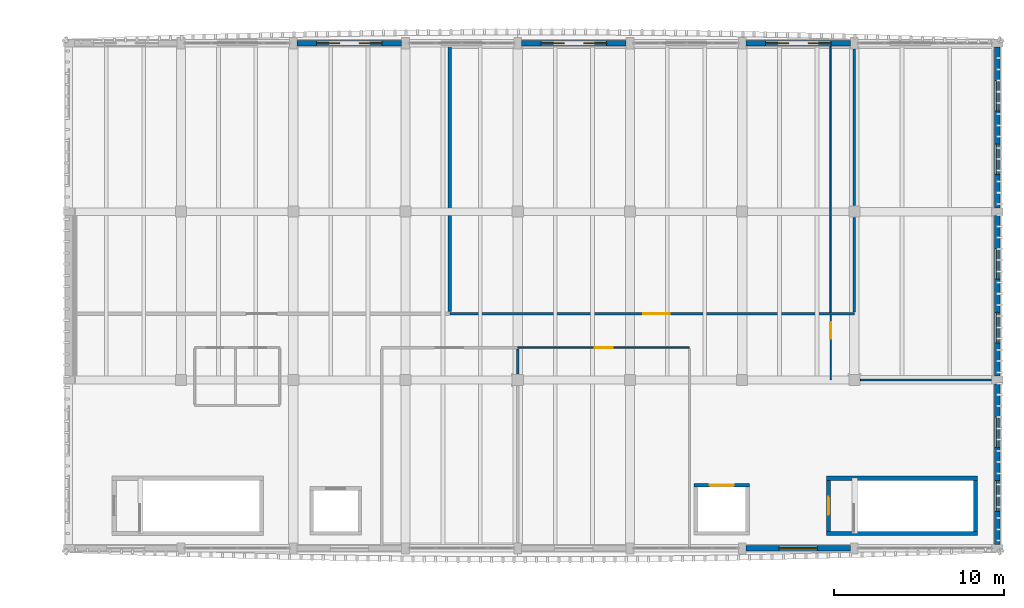
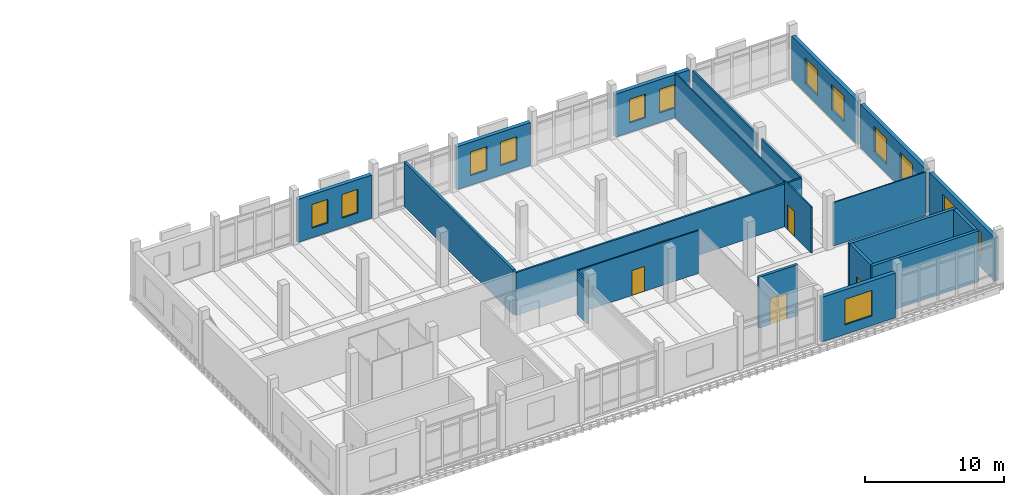
# One storey, part 24 of 37: 21 walls, 13 windows, 5 doors, 18 openings.
"""IFC4 building model written with IfcOpenShell, lengths in metres."""

from ifc_helpers import new_model, si_unit, direction, frame, frame_2d, origin, place, context, subcontext, project, spatial, rectangle, extrude, material, layer, layer_set, type_object, element, fill, save


model = new_model("IFC4")

# Units and contexts
model_context = context("Model", 3, precision=1e-05, world=origin(), true_north=direction((0.0, 1.0)))
body_context = subcontext(model_context, "Body", "Model", "MODEL_VIEW")
ifc_project = project(units=[si_unit("LENGTHUNIT", "METRE"), si_unit("AREAUNIT", "SQUARE_METRE"), si_unit("VOLUMEUNIT", "CUBIC_METRE"), si_unit("PLANEANGLEUNIT", "RADIAN"), si_unit("MASSUNIT", "GRAM", prefix="KILO")], contexts=[model_context])

# Site, building, storey
site_placement = place(None, origin())
site = spatial("IfcSite", under=ifc_project, at=site_placement, CompositionType="ELEMENT")
building_placement = place(site_placement, origin())
building = spatial("IfcBuilding", under=site, at=building_placement, Name="Dornvale Research Institute", CompositionType="ELEMENT")
storey_placement = place(building_placement, frame((0.0, 0.0, 29.39990234375)))
storey = spatial("IfcBuildingStorey", under=building, at=storey_placement, Name="L06", CompositionType="ELEMENT", Elevation=29.39990234375)

# Wall
ifc_material_1 = material(Name="Fire-Rated Gypsum Board on Cold-Formed Steel Studs", Category="steel")
ifc_layer_1 = layer(ifc_material_1, 0.199951171875)
ifc_layer_set_1 = layer_set([ifc_layer_1], Name="Fire-Rated Gypsum Board on Cold-Formed Steel Studs")
wall_type_1 = type_object("IfcWallType", Name="Partition_FireWall_200", PredefinedType="PARTITIONING", material=ifc_layer_set_1)
wall_1_placement = place(storey_placement, frame((141.199951171875, 106.31494140625, 0.0), z_axis=(0.0, 0.0, 1.0), x_axis=(0.0, 1.0, 0.0)))
element("IfcWall", 1, at=wall_1_placement, inside=storey, type_object=wall_type_1, Name="L06 V4 interior partition #526", PredefinedType="PARTITIONING", context=body_context, shape_type="SweptSolid", body=[
    extrude(rectangle(XDim=15.7451171875, YDim=0.199951171875, at=frame_2d((7.87255859375, 0.0))), origin(), (0.0, 0.0, 1.0), 3.93017578125),
])

# Wall, opening, door
ifc_material_2 = material(Name="Acoustic Insulated Double-Stud Laboratory Partition")
ifc_layer_2 = layer(ifc_material_2, 0.14990234375)
ifc_layer_set_2 = layer_set([ifc_layer_2], Name="Acoustic Insulated Double-Stud Laboratory Partition")
wall_type_2 = type_object("IfcWallType", Name="Partition_Lab_150", PredefinedType="PARTITIONING", material=ifc_layer_set_2)
wall_2_placement = place(storey_placement, frame((141.215087890625, 106.199951171875, 0.0), z_axis=(0.0, 0.0, 1.0), x_axis=(1.0, 0.0, 0.0)))
wall_2 = element("IfcWall", 2, at=wall_2_placement, inside=storey, type_object=wall_type_2, Name="L06 V4 interior partition #527", PredefinedType="PARTITIONING", context=body_context, shape_type="SweptSolid", body=[
    extrude(rectangle(XDim=23.784912109375, YDim=0.14990234375, at=frame_2d((11.892578125, 0.0))), origin(), (0.0, 0.0, 1.0), 3.780029296875),
])
opening_1_placement = place(wall_2_placement, frame((11.35498046875, 0.0, 0.0)))
opening_1 = element("IfcOpeningElement", 3, at=opening_1_placement, cuts=wall_2, Name="Opening ID-05", PredefinedType="OPENING", context=body_context, shape_type="SweptSolid", body=[
    extrude(rectangle(XDim=1.56005859375, YDim=2.300048828125, at=frame_2d((0.780029296875, 1.14990234375))), frame((0.0, 0.08984375, 0.0), z_axis=(0.0, -1.0, 0.0), x_axis=(1.0, 0.0, 0.0)), (0.0, 0.0, 1.0), 0.179931640625),
])
ifc_material_3 = material(Name="Insulated Fire-Rated Hollow Metal Door Assembly")
door_type_1 = type_object("IfcDoorType", Name="Door_WetLab_1560x2300", OperationType="SINGLE_SWING_LEFT", PredefinedType="DOOR", material=ifc_material_3)
door_1_placement = place(opening_1_placement, origin())
door_1 = element("IfcDoor", 4, at=door_1_placement, inside=storey, type_object=door_type_1, Name="L06 Polymer Materials Chemistry Laboratory door #218", OperationType="SINGLE_SWING_LEFT", OverallHeight=2.300048828125, OverallWidth=1.56005859375, PredefinedType="DOOR", context=body_context, shape_type="SweptSolid", body=[
    extrude(rectangle(XDim=1.56005859375, YDim=2.300048828125, at=frame_2d((0.780029296875, 1.14990234375))), frame((0.0, 0.02490234375, 0.0), z_axis=(0.0, -1.0, 0.0), x_axis=(1.0, 0.0, 0.0)), (0.0, 0.0, 1.0), 0.050048828125),
])
fill(opening_1, door_1)

# Walls
wall_3_placement = place(storey_placement, frame((165.0, 106.2900390625, 0.0), z_axis=(0.0, 0.0, 1.0), x_axis=(0.0, 1.0, 0.0)))
element("IfcWall", 5, at=wall_3_placement, inside=storey, type_object=wall_type_2, Name="L06 V4 interior partition #528", PredefinedType="PARTITIONING", context=body_context, shape_type="SweptSolid", body=[
    extrude(rectangle(XDim=5.56494140625, YDim=0.14990234375, at=frame_2d((2.782470703125, 0.0))), origin(), (0.0, 0.0, 1.0), 3.780029296875),
])
wall_4_placement = place(storey_placement, frame((165.0, 112.544921875, 0.0), z_axis=(0.0, 0.0, 1.0), x_axis=(0.0, 1.0, 0.0)))
element("IfcWall", 6, at=wall_4_placement, inside=storey, type_object=wall_type_2, Name="L06 V4 interior partition #529", PredefinedType="PARTITIONING", context=body_context, shape_type="SweptSolid", body=[
    extrude(rectangle(XDim=9.2099609375, YDim=0.14990234375, at=frame_2d((4.60498046875, 0.0))), origin(), (0.0, 0.0, 1.0), 3.780029296875),
])
wall_5_placement = place(storey_placement, frame((145.199951171875, 102.64501953125, 0.0), z_axis=(0.0, 0.0, 1.0), x_axis=(0.0, 1.0, 0.0)))
element("IfcWall", 7, at=wall_5_placement, inside=storey, type_object=wall_type_2, Name="L06 V4 interior partition #536", PredefinedType="PARTITIONING", context=body_context, shape_type="SweptSolid", body=[
    extrude(rectangle(XDim=1.465087890625, YDim=0.14990234375, at=frame_2d((0.732421875, 0.0))), origin(), (0.0, 0.0, 1.0), 3.780029296875),
])
ifc_material_4 = material(Name="Acoustic Insulated Double-Stud Laboratory Partition")
ifc_layer_3 = layer(ifc_material_4, 0.10009765625)
ifc_layer_set_3 = layer_set([ifc_layer_3], Name="Acoustic Insulated Double-Stud Laboratory Partition")
wall_type_3 = type_object("IfcWallType", Name="Partition_Office_100", PredefinedType="PARTITIONING", material=ifc_layer_set_3)
wall_6_placement = place(storey_placement, frame((165.344970703125, 102.300048828125, 0.0), z_axis=(0.0, 0.0, 1.0), x_axis=(1.0, 0.0, 0.0)))
element("IfcWall", 8, at=wall_6_placement, inside=storey, type_object=wall_type_3, Name="L06 V4 interior partition #530", PredefinedType="PARTITIONING", context=body_context, shape_type="SweptSolid", body=[
    extrude(rectangle(XDim=7.7099609375, YDim=0.10009765625, at=frame_2d((3.85498046875, 0.0))), origin(), (0.0, 0.0, 1.0), 3.830078125),
])

# Wall, opening, door
wall_7_placement = place(storey_placement, frame((163.60009765625, 102.300048828125, 0.0), z_axis=(0.0, 0.0, 1.0), x_axis=(0.0, 1.0, 0.0)))
wall_7 = element("IfcWall", 9, at=wall_7_placement, inside=storey, type_object=wall_type_3, Name="L06 V4 interior partition #531", PredefinedType="PARTITIONING", context=body_context, shape_type="SweptSolid", body=[
    extrude(rectangle(XDim=3.81005859375, YDim=0.10009765625, at=frame_2d((1.905029296875, 0.0))), origin(), (0.0, 0.0, 1.0), 4.065185546875),
])
opening_2_placement = place(wall_7_placement, frame((2.409912109375, 0.0, 0.0)))
opening_2 = element("IfcOpeningElement", 10, at=opening_2_placement, cuts=wall_7, Name="Opening ID-21", PredefinedType="OPENING", context=body_context, shape_type="SweptSolid", body=[
    extrude(rectangle(XDim=0.97998046875, YDim=2.199951171875, at=frame_2d((0.489990234375, 1.10009765625))), frame((0.0, 0.06494140625, 0.0), z_axis=(0.0, -1.0, 0.0), x_axis=(1.0, 0.0, 0.0)), (0.0, 0.0, 1.0), 0.130126953125),
])
ifc_material_5 = material(Name="Phenolic-Faced Solid-Core Laboratory Door Assembly")
door_type_2 = type_object("IfcDoorType", Name="Door_Office_980x2200", OperationType="SINGLE_SWING_LEFT", PredefinedType="DOOR", material=ifc_material_5)
door_2_placement = place(opening_2_placement, origin())
door_2 = element("IfcDoor", 11, at=door_2_placement, inside=storey, type_object=door_type_2, Name="L06 Laboratory Safety Officer Suite door #219", OperationType="SINGLE_SWING_RIGHT", OverallHeight=2.199951171875, OverallWidth=0.97998046875, PredefinedType="DOOR", context=body_context, shape_type="SweptSolid", body=[
    extrude(rectangle(XDim=0.97998046875, YDim=2.199951171875, at=frame_2d((0.489990234375, 1.10009765625))), frame((0.0, 0.02490234375, 0.0), z_axis=(0.0, -1.0, 0.0), x_axis=(1.0, 0.0, 0.0)), (0.0, 0.0, 1.0), 0.050048828125),
])
fill(opening_2, door_2)

# Wall
wall_8_placement = place(storey_placement, frame((163.60009765625, 106.2900390625, 0.0), z_axis=(0.0, 0.0, 1.0), x_axis=(0.0, 1.0, 0.0)))
element("IfcWall", 12, at=wall_8_placement, inside=storey, type_object=wall_type_3, Name="L06 V4 interior partition #532", PredefinedType="PARTITIONING", context=body_context, shape_type="SweptSolid", body=[
    extrude(rectangle(XDim=15.635009765625, YDim=0.10009765625, at=frame_2d((7.8173828125, 0.0))), origin(), (0.0, 0.0, 1.0), 3.93017578125),
])

# Wall, opening, door
wall_9_placement = place(storey_placement, frame((145.215087890625, 104.199951171875, 0.0), z_axis=(0.0, 0.0, 1.0), x_axis=(1.0, 0.0, 0.0)))
wall_9 = element("IfcWall", 13, at=wall_9_placement, inside=storey, type_object=wall_type_3, Name="L06 V4 interior partition #537", PredefinedType="PARTITIONING", context=body_context, shape_type="SweptSolid", body=[
    extrude(rectangle(XDim=10.0849609375, YDim=0.10009765625, at=frame_2d((5.04248046875, 0.0))), origin(), (0.0, 0.0, 1.0), 3.780029296875),
])
opening_3_placement = place(wall_9_placement, frame((4.5048828125, 0.0, 0.0)))
opening_3 = element("IfcOpeningElement", 14, at=opening_3_placement, cuts=wall_9, Name="Opening ID-19", PredefinedType="OPENING", context=body_context, shape_type="SweptSolid", body=[
    extrude(rectangle(XDim=1.06005859375, YDim=2.199951171875, at=frame_2d((0.530029296875, 1.10009765625))), frame((0.0, 0.06494140625, 0.0), z_axis=(0.0, -1.0, 0.0), x_axis=(1.0, 0.0, 0.0)), (0.0, 0.0, 1.0), 0.130126953125),
])
ifc_material_6 = material(Name="Phenolic-Faced Solid-Core Laboratory Door Assembly")
door_type_3 = type_object("IfcDoorType", Name="Door_WriteUp_1060x2200", OperationType="SINGLE_SWING_LEFT", PredefinedType="DOOR", material=ifc_material_6)
door_3_placement = place(opening_3_placement, origin())
door_3 = element("IfcDoor", 15, at=door_3_placement, inside=storey, type_object=door_type_3, Name="L06 Wet Laboratory Write-Up Bays L06 door #221", OperationType="SINGLE_SWING_RIGHT", OverallHeight=2.199951171875, OverallWidth=1.06005859375, PredefinedType="DOOR", context=body_context, shape_type="SweptSolid", body=[
    extrude(rectangle(XDim=1.06005859375, YDim=2.199951171875, at=frame_2d((0.530029296875, 1.10009765625))), frame((0.0, 0.02490234375, 0.0), z_axis=(0.0, -1.0, 0.0), x_axis=(1.0, 0.0, 0.0)), (0.0, 0.0, 1.0), 0.050048828125),
])
fill(opening_3, door_3)

# Walls
ifc_material_7 = material(Name="Concrete f'c 45 MPa (C35/45)", Category="concrete")
ifc_layer_4 = layer(ifc_material_7, 0.25)
ifc_layer_set_4 = layer_set([ifc_layer_4], Name="Concrete f'c 45 MPa (C35/45)")
wall_type_4 = type_object("IfcWallType", Name="ShearWall_Core_250", PredefinedType="SHEAR", material=ifc_layer_set_4)
for number, where, z_axis, x_axis, name in (
    (16, (163.35009765625, 93.27490234375, 0.0), (0.0, 0.0, 1.0), (1.0, 0.0, 0.0), "L06 ST-4 shaft shear wall south"),
    (17, (163.35009765625, 96.52490234375, 0.0), (0.0, 0.0, 1.0), (1.0, 0.0, 0.0), "L06 ST-4 shaft shear wall north"),
):
    element("IfcWall", number, at=place(storey_placement, frame(where, z_axis=z_axis, x_axis=x_axis)), inside=storey, type_object=wall_type_4, Name=name, PredefinedType="SHEAR", context=body_context, shape_type="SweptSolid", body=[
        extrude(rectangle(XDim=8.89990234375, YDim=0.25, at=frame_2d((4.449951171875, 0.0))), origin(), (0.0, 0.0, 1.0), 4.47998046875),
    ])

# Wall, opening, door
wall_10_placement = place(storey_placement, frame((163.47509765625, 93.39990234375, 0.0), z_axis=(0.0, 0.0, 1.0), x_axis=(0.0, 1.0, 0.0)))
wall_10 = element("IfcWall", 18, at=wall_10_placement, inside=storey, type_object=wall_type_4, Name="L06 ST-4 shaft shear wall west", PredefinedType="SHEAR", context=body_context, shape_type="SweptSolid", body=[
    extrude(rectangle(XDim=3.0, YDim=0.25, at=frame_2d((1.5, 0.0))), origin(), (0.0, 0.0, 1.0), 4.47998046875),
])
opening_4_placement = place(wall_10_placement, frame((0.9599609375, 0.0, 0.0)))
opening_4 = element("IfcOpeningElement", 19, at=opening_4_placement, cuts=wall_10, Name="Opening SD-02", PredefinedType="OPENING", context=body_context, shape_type="SweptSolid", body=[
    extrude(rectangle(XDim=1.080078125, YDim=2.199951171875, at=frame_2d((0.5400390625, 1.10009765625))), frame((0.0, 0.139892578125, 0.0), z_axis=(0.0, -1.0, 0.0), x_axis=(1.0, 0.0, 0.0)), (0.0, 0.0, 1.0), 0.280029296875),
])
ifc_material_8 = material(Name="Insulated Fire-Rated Hollow Metal Door Assembly")
door_type_4 = type_object("IfcDoorType", Name="Door_Stair_1080x2200", OperationType="SINGLE_SWING_LEFT", PredefinedType="DOOR", material=ifc_material_8)
door_4_placement = place(opening_4_placement, origin())
door_4 = element("IfcDoor", 20, at=door_4_placement, inside=storey, type_object=door_type_4, Name="L06 ST-4 exit stair door #40", OperationType="SINGLE_SWING_LEFT", OverallHeight=2.199951171875, OverallWidth=1.080078125, PredefinedType="DOOR", context=body_context, shape_type="SweptSolid", body=[
    extrude(rectangle(XDim=1.080078125, YDim=2.199951171875, at=frame_2d((0.5400390625, 1.10009765625))), frame((0.0, 0.02490234375, 0.0), z_axis=(0.0, -1.0, 0.0), x_axis=(1.0, 0.0, 0.0)), (0.0, 0.0, 1.0), 0.050048828125),
])
fill(opening_4, door_4)

# Wall
wall_11_placement = place(storey_placement, frame((172.125, 93.39990234375, 0.0), z_axis=(0.0, 0.0, 1.0), x_axis=(0.0, 1.0, 0.0)))
element("IfcWall", 21, at=wall_11_placement, inside=storey, type_object=wall_type_4, Name="L06 ST-4 shaft shear wall east", PredefinedType="SHEAR", context=body_context, shape_type="SweptSolid", body=[
    extrude(rectangle(XDim=3.0, YDim=0.25, at=frame_2d((1.5, 0.0))), origin(), (0.0, 0.0, 1.0), 4.47998046875),
])

# Wall, opening, door
ifc_material_9 = material(Name="Concrete f'c 45 MPa (C35/45)", Category="concrete")
ifc_layer_5 = layer(ifc_material_9, 0.219970703125)
ifc_layer_set_5 = layer_set([ifc_layer_5], Name="Concrete f'c 45 MPa (C35/45)")
wall_type_5 = type_object("IfcWallType", Name="ShearWall_Shaft_220", PredefinedType="SHEAR", material=ifc_layer_set_5)
wall_12_placement = place(storey_placement, frame((155.580078125, 96.110107421875, 0.0), z_axis=(0.0, 0.0, 1.0), x_axis=(1.0, 0.0, 0.0)))
wall_12 = element("IfcWall", 22, at=wall_12_placement, inside=storey, type_object=wall_type_5, Name="L06 LS1 elevator shaft wall north", PredefinedType="SHEAR", context=body_context, shape_type="SweptSolid", body=[
    extrude(rectangle(XDim=3.239990234375, YDim=0.219970703125, at=frame_2d((1.6201171875, 0.0))), origin(), (0.0, 0.0, 1.0), 4.47998046875),
])
opening_5_placement = place(wall_12_placement, frame((0.919921875, 0.0, 0.0)))
opening_5 = element("IfcOpeningElement", 23, at=opening_5_placement, cuts=wall_12, Name="Opening LD-03", PredefinedType="OPENING", context=body_context, shape_type="SweptSolid", body=[
    extrude(rectangle(XDim=1.39990234375, YDim=2.300048828125, at=frame_2d((0.699951171875, 1.14990234375))), frame((0.0, 0.125, 0.0), z_axis=(0.0, -1.0, 0.0), x_axis=(1.0, 0.0, 0.0)), (0.0, 0.0, 1.0), 0.25),
])
ifc_material_10 = material(Name="Brushed Stainless Steel Sliding Elevator Landing Door", Category="steel")
door_type_5 = type_object("IfcDoorType", Name="Door_LiftLanding_Serv_1400x2300", OperationType="SINGLE_SWING_LEFT", PredefinedType="DOOR", material=ifc_material_10)
door_5_placement = place(opening_5_placement, origin())
door_5 = element("IfcDoor", 24, at=door_5_placement, inside=storey, type_object=door_type_5, Name="L06 LS1 sliding elevator landing door #52", OperationType="DOUBLE_DOOR_SLIDING", OverallHeight=2.300048828125, OverallWidth=1.39990234375, PredefinedType="DOOR", context=body_context, shape_type="SweptSolid", body=[
    extrude(rectangle(XDim=1.39990234375, YDim=2.300048828125, at=frame_2d((0.699951171875, 1.14990234375))), frame((0.0, 0.02490234375, 0.0), z_axis=(0.0, -1.0, 0.0), x_axis=(1.0, 0.0, 0.0)), (0.0, 0.0, 1.0), 0.050048828125),
])
fill(opening_5, door_5)

# Wall, openings, windows
ifc_material_11 = material(Name="Catalan Pressed Brick and Insulated Cavity Assembly", Category="masonry")
ifc_layer_6 = layer(ifc_material_11, 0.320068359375)
ifc_layer_set_6 = layer_set([ifc_layer_6], Name="Catalan Pressed Brick and Insulated Cavity Assembly")
wall_type_6 = type_object("IfcWallType", Name="StandardWall_BrickCavity_320", PredefinedType="STANDARD", material=ifc_layer_set_6)
wall_13_placement = place(storey_placement, frame((132.22509765625, 122.10009765625, 0.0), z_axis=(0.0, 0.0, 1.0), x_axis=(1.0, 0.0, 0.0)))
wall_13 = element("IfcWall", 25, at=wall_13_placement, inside=storey, type_object=wall_type_6, Name="L06 V4 north exterior wall #279", PredefinedType="STANDARD", context=body_context, shape_type="SweptSolid", body=[
    extrude(rectangle(XDim=6.14990234375, YDim=0.320068359375, at=frame_2d((3.074951171875, 0.0))), origin(), (0.0, 0.0, 1.0), 3.780029296875),
])
opening_6_placement = place(wall_13_placement, frame((1.14990234375, 0.0, 0.85009765625)))
opening_6 = element("IfcOpeningElement", 26, at=opening_6_placement, cuts=wall_13, Name="Opening W-38", PredefinedType="OPENING", context=body_context, shape_type="SweptSolid", body=[
    extrude(rectangle(XDim=1.35009765625, YDim=2.080078125, at=frame_2d((0.675048828125, 1.0400390625))), frame((0.0, 0.175048828125, 0.0), z_axis=(0.0, -1.0, 0.0), x_axis=(1.0, 0.0, 0.0)), (0.0, 0.0, 1.0), 0.35009765625),
])
opening_7_placement = place(wall_13_placement, frame((3.64990234375, 0.0, 0.85009765625)))
opening_7 = element("IfcOpeningElement", 27, at=opening_7_placement, cuts=wall_13, Name="Opening W-38", PredefinedType="OPENING", context=body_context, shape_type="SweptSolid", body=[
    extrude(rectangle(XDim=1.35009765625, YDim=2.080078125, at=frame_2d((0.675048828125, 1.0400390625))), frame((0.0, 0.175048828125, 0.0), z_axis=(0.0, -1.0, 0.0), x_axis=(1.0, 0.0, 0.0)), (0.0, 0.0, 1.0), 0.35009765625),
])
ifc_material_12 = material(Name="Low-E Argon Double Insulating Glazing Unit", Category="glass")
window_type_1 = type_object("IfcWindowType", Name="Window_Alu_1350x2080_38", PartitioningType="SINGLE_PANEL", PredefinedType="WINDOW", material=ifc_material_12)
window_1_placement = place(opening_6_placement, origin())
window_1 = element("IfcWindow", 28, at=window_1_placement, inside=storey, type_object=window_type_1, Name="L06 V4 facade window W-38 #387", OverallHeight=2.080078125, OverallWidth=1.35009765625, PartitioningType="SINGLE_PANEL", PredefinedType="WINDOW", context=body_context, shape_type="SweptSolid", body=[
    extrude(rectangle(XDim=1.35009765625, YDim=2.080078125, at=frame_2d((0.675048828125, 1.0400390625))), frame((0.0, 0.030029296875, 0.0), z_axis=(0.0, -1.0, 0.0), x_axis=(1.0, 0.0, 0.0)), (0.0, 0.0, 1.0), 0.06005859375),
])
fill(opening_6, window_1)
window_2_placement = place(opening_7_placement, origin())
window_2 = element("IfcWindow", 29, at=window_2_placement, inside=storey, type_object=window_type_1, Name="L06 V4 facade window W-38 #388", OverallHeight=2.080078125, OverallWidth=1.35009765625, PartitioningType="SINGLE_PANEL", PredefinedType="WINDOW", context=body_context, shape_type="SweptSolid", body=[
    extrude(rectangle(XDim=1.35009765625, YDim=2.080078125, at=frame_2d((0.675048828125, 1.0400390625))), frame((0.0, 0.030029296875, 0.0), z_axis=(0.0, -1.0, 0.0), x_axis=(1.0, 0.0, 0.0)), (0.0, 0.0, 1.0), 0.06005859375),
])
fill(opening_7, window_2)

wall_14_placement = place(storey_placement, frame((145.425048828125, 122.10009765625, 0.0), z_axis=(0.0, 0.0, 1.0), x_axis=(1.0, 0.0, 0.0)))
wall_14 = element("IfcWall", 30, at=wall_14_placement, inside=storey, type_object=wall_type_6, Name="L06 V4 north exterior wall #280", PredefinedType="STANDARD", context=body_context, shape_type="SweptSolid", body=[
    extrude(rectangle(XDim=6.14990234375, YDim=0.320068359375, at=frame_2d((3.074951171875, 0.0))), origin(), (0.0, 0.0, 1.0), 3.780029296875),
])
opening_8_placement = place(wall_14_placement, frame((1.14990234375, 0.0, 0.85009765625)))
opening_8 = element("IfcOpeningElement", 31, at=opening_8_placement, cuts=wall_14, Name="Opening W-38", PredefinedType="OPENING", context=body_context, shape_type="SweptSolid", body=[
    extrude(rectangle(XDim=1.35009765625, YDim=2.080078125, at=frame_2d((0.675048828125, 1.0400390625))), frame((0.0, 0.175048828125, 0.0), z_axis=(0.0, -1.0, 0.0), x_axis=(1.0, 0.0, 0.0)), (0.0, 0.0, 1.0), 0.35009765625),
])
opening_9_placement = place(wall_14_placement, frame((3.64990234375, 0.0, 0.85009765625)))
opening_9 = element("IfcOpeningElement", 32, at=opening_9_placement, cuts=wall_14, Name="Opening W-38", PredefinedType="OPENING", context=body_context, shape_type="SweptSolid", body=[
    extrude(rectangle(XDim=1.35009765625, YDim=2.080078125, at=frame_2d((0.675048828125, 1.0400390625))), frame((0.0, 0.175048828125, 0.0), z_axis=(0.0, -1.0, 0.0), x_axis=(1.0, 0.0, 0.0)), (0.0, 0.0, 1.0), 0.35009765625),
])
window_3_placement = place(opening_8_placement, origin())
window_3 = element("IfcWindow", 33, at=window_3_placement, inside=storey, type_object=window_type_1, Name="L06 V4 facade window W-38 #389", OverallHeight=2.080078125, OverallWidth=1.35009765625, PartitioningType="SINGLE_PANEL", PredefinedType="WINDOW", context=body_context, shape_type="SweptSolid", body=[
    extrude(rectangle(XDim=1.35009765625, YDim=2.080078125, at=frame_2d((0.675048828125, 1.0400390625))), frame((0.0, 0.030029296875, 0.0), z_axis=(0.0, -1.0, 0.0), x_axis=(1.0, 0.0, 0.0)), (0.0, 0.0, 1.0), 0.06005859375),
])
fill(opening_8, window_3)
window_4_placement = place(opening_9_placement, origin())
window_4 = element("IfcWindow", 34, at=window_4_placement, inside=storey, type_object=window_type_1, Name="L06 V4 facade window W-38 #390", OverallHeight=2.080078125, OverallWidth=1.35009765625, PartitioningType="SINGLE_PANEL", PredefinedType="WINDOW", context=body_context, shape_type="SweptSolid", body=[
    extrude(rectangle(XDim=1.35009765625, YDim=2.080078125, at=frame_2d((0.675048828125, 1.0400390625))), frame((0.0, 0.030029296875, 0.0), z_axis=(0.0, -1.0, 0.0), x_axis=(1.0, 0.0, 0.0)), (0.0, 0.0, 1.0), 0.06005859375),
])
fill(opening_9, window_4)

wall_15_placement = place(storey_placement, frame((158.625, 122.10009765625, 0.0), z_axis=(0.0, 0.0, 1.0), x_axis=(1.0, 0.0, 0.0)))
wall_15 = element("IfcWall", 35, at=wall_15_placement, inside=storey, type_object=wall_type_6, Name="L06 V4 north exterior wall #281", PredefinedType="STANDARD", context=body_context, shape_type="SweptSolid", body=[
    extrude(rectangle(XDim=6.14990234375, YDim=0.320068359375, at=frame_2d((3.074951171875, 0.0))), origin(), (0.0, 0.0, 1.0), 3.780029296875),
])
opening_10_placement = place(wall_15_placement, frame((1.14990234375, 0.0, 0.85009765625)))
opening_10 = element("IfcOpeningElement", 36, at=opening_10_placement, cuts=wall_15, Name="Opening W-38", PredefinedType="OPENING", context=body_context, shape_type="SweptSolid", body=[
    extrude(rectangle(XDim=1.35009765625, YDim=2.080078125, at=frame_2d((0.675048828125, 1.0400390625))), frame((0.0, 0.175048828125, 0.0), z_axis=(0.0, -1.0, 0.0), x_axis=(1.0, 0.0, 0.0)), (0.0, 0.0, 1.0), 0.35009765625),
])
opening_11_placement = place(wall_15_placement, frame((3.64990234375, 0.0, 0.85009765625)))
opening_11 = element("IfcOpeningElement", 37, at=opening_11_placement, cuts=wall_15, Name="Opening W-38", PredefinedType="OPENING", context=body_context, shape_type="SweptSolid", body=[
    extrude(rectangle(XDim=1.35009765625, YDim=2.080078125, at=frame_2d((0.675048828125, 1.0400390625))), frame((0.0, 0.175048828125, 0.0), z_axis=(0.0, -1.0, 0.0), x_axis=(1.0, 0.0, 0.0)), (0.0, 0.0, 1.0), 0.35009765625),
])
window_5_placement = place(opening_10_placement, origin())
window_5 = element("IfcWindow", 38, at=window_5_placement, inside=storey, type_object=window_type_1, Name="L06 V4 facade window W-38 #391", OverallHeight=2.080078125, OverallWidth=1.35009765625, PartitioningType="SINGLE_PANEL", PredefinedType="WINDOW", context=body_context, shape_type="SweptSolid", body=[
    extrude(rectangle(XDim=1.35009765625, YDim=2.080078125, at=frame_2d((0.675048828125, 1.0400390625))), frame((0.0, 0.030029296875, 0.0), z_axis=(0.0, -1.0, 0.0), x_axis=(1.0, 0.0, 0.0)), (0.0, 0.0, 1.0), 0.06005859375),
])
fill(opening_10, window_5)
window_6_placement = place(opening_11_placement, origin())
window_6 = element("IfcWindow", 39, at=window_6_placement, inside=storey, type_object=window_type_1, Name="L06 V4 facade window W-38 #392", OverallHeight=2.080078125, OverallWidth=1.35009765625, PartitioningType="SINGLE_PANEL", PredefinedType="WINDOW", context=body_context, shape_type="SweptSolid", body=[
    extrude(rectangle(XDim=1.35009765625, YDim=2.080078125, at=frame_2d((0.675048828125, 1.0400390625))), frame((0.0, 0.030029296875, 0.0), z_axis=(0.0, -1.0, 0.0), x_axis=(1.0, 0.0, 0.0)), (0.0, 0.0, 1.0), 0.06005859375),
])
fill(opening_11, window_6)

wall_16_placement = place(storey_placement, frame((173.39990234375, 121.875, 0.0), z_axis=(0.0, 0.0, 1.0), x_axis=(0.0, -1.0, 0.0)))
wall_16 = element("IfcWall", 40, at=wall_16_placement, inside=storey, type_object=wall_type_6, Name="L06 V4 east exterior wall #282", PredefinedType="STANDARD", context=body_context, shape_type="SweptSolid", body=[
    extrude(rectangle(XDim=9.449951171875, YDim=0.320068359375, at=frame_2d((4.72509765625, 0.0))), origin(), (0.0, 0.0, 1.0), 3.830078125),
])
opening_12_placement = place(wall_16_placement, frame((1.949951171875, 0.0, 0.85009765625)))
opening_12 = element("IfcOpeningElement", 41, at=opening_12_placement, cuts=wall_16, Name="Opening W-41", PredefinedType="OPENING", context=body_context, shape_type="SweptSolid", body=[
    extrude(rectangle(XDim=1.800048828125, YDim=2.239990234375, at=frame_2d((0.89990234375, 1.1201171875))), frame((0.0, 0.175048828125, 0.0), z_axis=(0.0, -1.0, 0.0), x_axis=(1.0, 0.0, 0.0)), (0.0, 0.0, 1.0), 0.35009765625),
])
opening_13_placement = place(wall_16_placement, frame((5.699951171875, 0.0, 0.85009765625)))
opening_13 = element("IfcOpeningElement", 42, at=opening_13_placement, cuts=wall_16, Name="Opening W-41", PredefinedType="OPENING", context=body_context, shape_type="SweptSolid", body=[
    extrude(rectangle(XDim=1.800048828125, YDim=2.239990234375, at=frame_2d((0.89990234375, 1.1201171875))), frame((0.0, 0.175048828125, 0.0), z_axis=(0.0, -1.0, 0.0), x_axis=(1.0, 0.0, 0.0)), (0.0, 0.0, 1.0), 0.35009765625),
])
ifc_material_13 = material(Name="Low-E Argon Double Insulating Glazing Unit", Category="glass")
window_type_2 = type_object("IfcWindowType", Name="Window_Alu_1800x2240_41", PartitioningType="DOUBLE_PANEL_VERTICAL", PredefinedType="WINDOW", material=ifc_material_13)
window_7_placement = place(opening_12_placement, origin())
window_7 = element("IfcWindow", 43, at=window_7_placement, inside=storey, type_object=window_type_2, Name="L06 V4 facade window W-41 #393", OverallHeight=2.239990234375, OverallWidth=1.800048828125, PartitioningType="DOUBLE_PANEL_VERTICAL", PredefinedType="WINDOW", context=body_context, shape_type="SweptSolid", body=[
    extrude(rectangle(XDim=1.800048828125, YDim=2.239990234375, at=frame_2d((0.89990234375, 1.1201171875))), frame((0.0, 0.030029296875, 0.0), z_axis=(0.0, -1.0, 0.0), x_axis=(1.0, 0.0, 0.0)), (0.0, 0.0, 1.0), 0.06005859375),
])
fill(opening_12, window_7)
window_8_placement = place(opening_13_placement, origin())
window_8 = element("IfcWindow", 44, at=window_8_placement, inside=storey, type_object=window_type_2, Name="L06 V4 facade window W-41 #394", OverallHeight=2.239990234375, OverallWidth=1.800048828125, PartitioningType="DOUBLE_PANEL_VERTICAL", PredefinedType="WINDOW", context=body_context, shape_type="SweptSolid", body=[
    extrude(rectangle(XDim=1.800048828125, YDim=2.239990234375, at=frame_2d((0.89990234375, 1.1201171875))), frame((0.0, 0.030029296875, 0.0), z_axis=(0.0, -1.0, 0.0), x_axis=(1.0, 0.0, 0.0)), (0.0, 0.0, 1.0), 0.06005859375),
])
fill(opening_13, window_8)

wall_17_placement = place(storey_placement, frame((173.39990234375, 111.97509765625, 0.0), z_axis=(0.0, 0.0, 1.0), x_axis=(0.0, -1.0, 0.0)))
wall_17 = element("IfcWall", 45, at=wall_17_placement, inside=storey, type_object=wall_type_6, Name="L06 V4 east exterior wall #283", PredefinedType="STANDARD", context=body_context, shape_type="SweptSolid", body=[
    extrude(rectangle(XDim=9.4501953125, YDim=0.320068359375, at=frame_2d((4.72509765625, 0.0))), origin(), (0.0, 0.0, 1.0), 3.830078125),
])
opening_14_placement = place(wall_17_placement, frame((1.949951171875, 0.0, 0.85009765625)))
opening_14 = element("IfcOpeningElement", 46, at=opening_14_placement, cuts=wall_17, Name="Opening W-41", PredefinedType="OPENING", context=body_context, shape_type="SweptSolid", body=[
    extrude(rectangle(XDim=1.800048828125, YDim=2.239990234375, at=frame_2d((0.89990234375, 1.1201171875))), frame((0.0, 0.175048828125, 0.0), z_axis=(0.0, -1.0, 0.0), x_axis=(1.0, 0.0, 0.0)), (0.0, 0.0, 1.0), 0.35009765625),
])
opening_15_placement = place(wall_17_placement, frame((5.699951171875, 0.0, 0.85009765625)))
opening_15 = element("IfcOpeningElement", 47, at=opening_15_placement, cuts=wall_17, Name="Opening W-41", PredefinedType="OPENING", context=body_context, shape_type="SweptSolid", body=[
    extrude(rectangle(XDim=1.800048828125, YDim=2.239990234375, at=frame_2d((0.89990234375, 1.1201171875))), frame((0.0, 0.175048828125, 0.0), z_axis=(0.0, -1.0, 0.0), x_axis=(1.0, 0.0, 0.0)), (0.0, 0.0, 1.0), 0.35009765625),
])
window_9_placement = place(opening_14_placement, origin())
window_9 = element("IfcWindow", 48, at=window_9_placement, inside=storey, type_object=window_type_2, Name="L06 V4 facade window W-41 #395", OverallHeight=2.239990234375, OverallWidth=1.800048828125, PartitioningType="DOUBLE_PANEL_VERTICAL", PredefinedType="WINDOW", context=body_context, shape_type="SweptSolid", body=[
    extrude(rectangle(XDim=1.800048828125, YDim=2.239990234375, at=frame_2d((0.89990234375, 1.1201171875))), frame((0.0, 0.030029296875, 0.0), z_axis=(0.0, -1.0, 0.0), x_axis=(1.0, 0.0, 0.0)), (0.0, 0.0, 1.0), 0.06005859375),
])
fill(opening_14, window_9)
window_10_placement = place(opening_15_placement, origin())
window_10 = element("IfcWindow", 49, at=window_10_placement, inside=storey, type_object=window_type_2, Name="L06 V4 facade window W-41 #396", OverallHeight=2.239990234375, OverallWidth=1.800048828125, PartitioningType="DOUBLE_PANEL_VERTICAL", PredefinedType="WINDOW", context=body_context, shape_type="SweptSolid", body=[
    extrude(rectangle(XDim=1.800048828125, YDim=2.239990234375, at=frame_2d((0.89990234375, 1.1201171875))), frame((0.0, 0.030029296875, 0.0), z_axis=(0.0, -1.0, 0.0), x_axis=(1.0, 0.0, 0.0)), (0.0, 0.0, 1.0), 0.06005859375),
])
fill(opening_15, window_10)

wall_18_placement = place(storey_placement, frame((173.39990234375, 102.074951171875, 0.0), z_axis=(0.0, 0.0, 1.0), x_axis=(0.0, -1.0, 0.0)))
wall_18 = element("IfcWall", 50, at=wall_18_placement, inside=storey, type_object=wall_type_6, Name="L06 V4 east exterior wall #284", PredefinedType="STANDARD", context=body_context, shape_type="SweptSolid", body=[
    extrude(rectangle(XDim=9.449951171875, YDim=0.320068359375, at=frame_2d((4.72509765625, 0.0))), origin(), (0.0, 0.0, 1.0), 3.830078125),
])
opening_16_placement = place(wall_18_placement, frame((1.949951171875, 0.0, 0.85009765625)))
opening_16 = element("IfcOpeningElement", 51, at=opening_16_placement, cuts=wall_18, Name="Opening W-41", PredefinedType="OPENING", context=body_context, shape_type="SweptSolid", body=[
    extrude(rectangle(XDim=1.800048828125, YDim=2.239990234375, at=frame_2d((0.89990234375, 1.1201171875))), frame((0.0, 0.175048828125, 0.0), z_axis=(0.0, -1.0, 0.0), x_axis=(1.0, 0.0, 0.0)), (0.0, 0.0, 1.0), 0.35009765625),
])
opening_17_placement = place(wall_18_placement, frame((5.699951171875, 0.0, 0.85009765625)))
opening_17 = element("IfcOpeningElement", 52, at=opening_17_placement, cuts=wall_18, Name="Opening W-41", PredefinedType="OPENING", context=body_context, shape_type="SweptSolid", body=[
    extrude(rectangle(XDim=1.800048828125, YDim=2.239990234375, at=frame_2d((0.89990234375, 1.1201171875))), frame((0.0, 0.175048828125, 0.0), z_axis=(0.0, -1.0, 0.0), x_axis=(1.0, 0.0, 0.0)), (0.0, 0.0, 1.0), 0.35009765625),
])
window_11_placement = place(opening_16_placement, origin())
window_11 = element("IfcWindow", 53, at=window_11_placement, inside=storey, type_object=window_type_2, Name="L06 V4 facade window W-41 #397", OverallHeight=2.239990234375, OverallWidth=1.800048828125, PartitioningType="DOUBLE_PANEL_VERTICAL", PredefinedType="WINDOW", context=body_context, shape_type="SweptSolid", body=[
    extrude(rectangle(XDim=1.800048828125, YDim=2.239990234375, at=frame_2d((0.89990234375, 1.1201171875))), frame((0.0, 0.030029296875, 0.0), z_axis=(0.0, -1.0, 0.0), x_axis=(1.0, 0.0, 0.0)), (0.0, 0.0, 1.0), 0.06005859375),
])
fill(opening_16, window_11)
window_12_placement = place(opening_17_placement, origin())
window_12 = element("IfcWindow", 54, at=window_12_placement, inside=storey, type_object=window_type_2, Name="L06 V4 facade window W-41 #398", OverallHeight=2.239990234375, OverallWidth=1.800048828125, PartitioningType="DOUBLE_PANEL_VERTICAL", PredefinedType="WINDOW", context=body_context, shape_type="SweptSolid", body=[
    extrude(rectangle(XDim=1.800048828125, YDim=2.239990234375, at=frame_2d((0.89990234375, 1.1201171875))), frame((0.0, 0.030029296875, 0.0), z_axis=(0.0, -1.0, 0.0), x_axis=(1.0, 0.0, 0.0)), (0.0, 0.0, 1.0), 0.06005859375),
])
fill(opening_17, window_12)

# Wall, opening, window
wall_19_placement = place(storey_placement, frame((164.77490234375, 92.39990234375, 0.0), z_axis=(0.0, 0.0, 1.0), x_axis=(-1.0, 0.0, 0.0)))
wall_19 = element("IfcWall", 55, at=wall_19_placement, inside=storey, type_object=wall_type_6, Name="L06 V4 south exterior wall #285", PredefinedType="STANDARD", context=body_context, shape_type="SweptSolid", body=[
    extrude(rectangle(XDim=6.14990234375, YDim=0.320068359375, at=frame_2d((3.074951171875, 0.0))), origin(), (0.0, 0.0, 1.0), 3.93017578125),
])
opening_18_placement = place(wall_19_placement, frame((1.949951171875, 0.0, 0.85009765625)))
opening_18 = element("IfcOpeningElement", 56, at=opening_18_placement, cuts=wall_19, Name="Opening W-44", PredefinedType="OPENING", context=body_context, shape_type="SweptSolid", body=[
    extrude(rectangle(XDim=2.25, YDim=2.239990234375, at=frame_2d((1.125, 1.1201171875))), frame((0.0, 0.175048828125, 0.0), z_axis=(0.0, -1.0, 0.0), x_axis=(1.0, 0.0, 0.0)), (0.0, 0.0, 1.0), 0.35009765625),
])
ifc_material_14 = material(Name="Low-E Argon Double Insulating Glazing Unit", Category="glass")
window_type_3 = type_object("IfcWindowType", Name="Window_Alu_2250x2240_44", PartitioningType="DOUBLE_PANEL_VERTICAL", PredefinedType="WINDOW", material=ifc_material_14)
window_13_placement = place(opening_18_placement, origin())
window_13 = element("IfcWindow", 57, at=window_13_placement, inside=storey, type_object=window_type_3, Name="L06 V4 facade window W-44 #399", OverallHeight=2.239990234375, OverallWidth=2.25, PartitioningType="DOUBLE_PANEL_VERTICAL", PredefinedType="WINDOW", context=body_context, shape_type="SweptSolid", body=[
    extrude(rectangle(XDim=2.25, YDim=2.239990234375, at=frame_2d((1.125, 1.1201171875))), frame((0.0, 0.030029296875, 0.0), z_axis=(0.0, -1.0, 0.0), x_axis=(1.0, 0.0, 0.0)), (0.0, 0.0, 1.0), 0.06005859375),
])
fill(opening_18, window_13)

save(model, "model.ifc")
